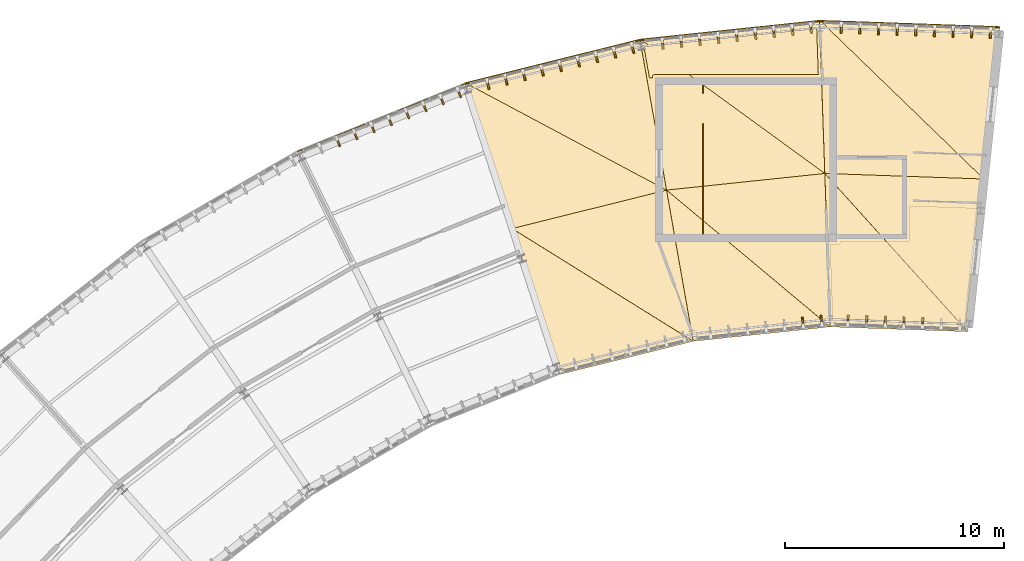
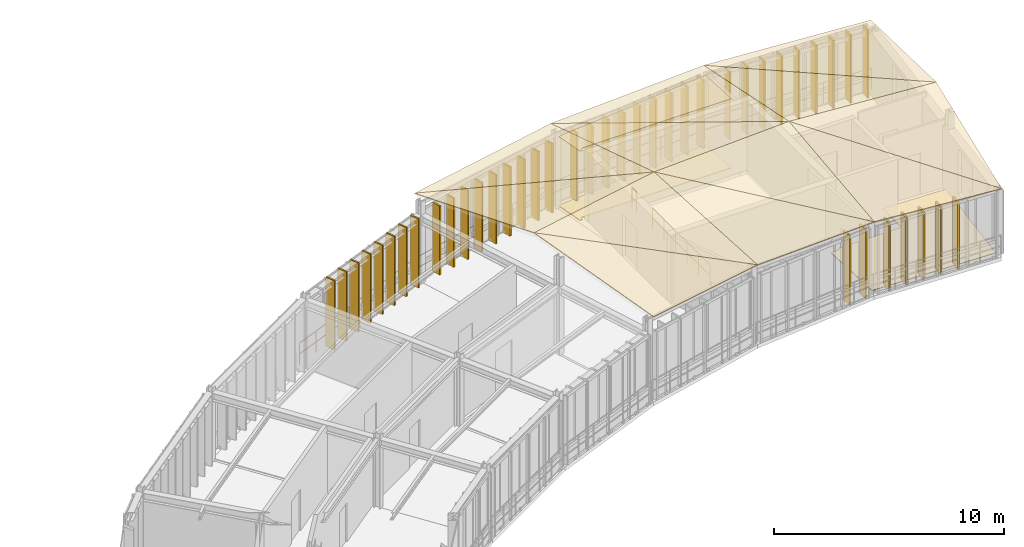
# One storey, part 42 of 42: 57 coverings, 6 railings.
"""IFC4 building model written with IfcOpenShell, lengths in metres."""

from ifc_helpers import new_model, si_unit, direction, frame, origin, origin_2d, place, context, subcontext, project, spatial, polyline, rectangle, circle, outline, extrude, material, layer, layer_set, type_object, element, save


model = new_model("IFC4")

# Units and contexts
model_context = context("Model", 3, precision=1e-05, world=origin(), true_north=direction((0.0, 1.0)))
body_context = subcontext(model_context, "Body", "Model", "MODEL_VIEW")
ifc_project = project(units=[si_unit("LENGTHUNIT", "METRE"), si_unit("AREAUNIT", "SQUARE_METRE"), si_unit("VOLUMEUNIT", "CUBIC_METRE"), si_unit("PLANEANGLEUNIT", "RADIAN"), si_unit("MASSUNIT", "GRAM", prefix="KILO"), si_unit("THERMODYNAMICTEMPERATUREUNIT", "KELVIN"), si_unit("POWERUNIT", "WATT")], contexts=[model_context])

# Site, building, storey
site_placement = place(None, origin())
site = spatial("IfcSite", under=ifc_project, at=site_placement, CompositionType="ELEMENT")
building_placement = place(site_placement, origin())
building = spatial("IfcBuilding", under=site, at=building_placement, Name="Solvatero Civic Police Headquarters", CompositionType="ELEMENT")
storey_placement = place(building_placement, frame((0.0, 0.0, 21.60009765625)))
storey = spatial("IfcBuildingStorey", under=building, at=storey_placement, Name="L05", CompositionType="ELEMENT", Elevation=21.60009765625)

# Coverings
ifc_material_1 = material(Name="Mineral-Fibre Acoustic Tile", Category="gypsum")
ifc_layer_1 = layer(ifc_material_1, 0.02490234375)
ifc_layer_set_1 = layer_set([ifc_layer_1], Name="Mineral-Fibre Acoustic Tile")
covering_type_1 = type_object("IfcCoveringType", Name="COV-CEIL-AC", PredefinedType="CEILING", material=ifc_layer_set_1)
covering_1_placement = place(storey_placement, frame((0.0, 0.0, 3.6748046875)))
element("IfcCovering", 1, at=covering_1_placement, inside=storey, type_object=covering_type_1, Name="Acoustic Ceiling Personnel Vetting and Training Admin Bay 2", PredefinedType="CEILING", context=body_context, shape_type="SweptSolid", body=[
    extrude(outline(polyline([(83.938720703125, 83.751708984375), (91.814208984375, 84.579345703125), (91.887939453125, 82.469970703125), (84.409912109375, 82.469970703125), (84.402099609375, 82.469482421875), (84.394287109375, 82.468505859375), (84.38671875, 82.466552734375), (84.37939453125, 82.4638671875), (84.372314453125, 82.460693359375), (84.365478515625, 82.45654296875), (84.359130859375, 82.451904296875), (84.353515625, 82.446533203125), (84.34814453125, 82.44091796875), (84.343505859375, 82.434326171875), (84.33935546875, 82.427734375), (84.336181640625, 82.420654296875), (84.33349609375, 82.4130859375), (84.33154296875, 82.405517578125), (84.330322265625, 82.397705078125), (84.330078125, 82.389892578125), (84.330078125, 82.320068359375), (84.191162109375, 82.320068359375), (83.938720703125, 83.751708984375)])), origin(), (0.0, 0.0, 1.0), 0.025146484375),
])
ifc_material_2 = material(Name="Anodized Bronze Aluminium", Category="aluminium")
ifc_layer_2 = layer(ifc_material_2, 0.080078125)
ifc_layer_set_2 = layer_set([ifc_layer_2], Name="Anodized Bronze Aluminium")
covering_type_2 = type_object("IfcCoveringType", Name="COV-FIN-480", PredefinedType="CLADDING", material=ifc_layer_set_2)
for number, where, z_axis, x_axis, name in (
    (2, (99.7314453125, 84.362060546875, -0.02001953125), (0.0, 0.0, 1.0), (-0.999390217756, 0.034916939358, 0.0), "Vertical Brise-Soleil Fin 0998"),
    (3, (98.882080078125, 84.3916015625, -0.02001953125), (0.0, 0.0, 1.0), (-0.999390217756, 0.034916939358, 0.0), "Vertical Brise-Soleil Fin 0999"),
    (4, (98.032470703125, 84.42138671875, -0.02001953125), (0.0, 0.0, 1.0), (-0.999390217756, 0.034916939358, 0.0), "Vertical Brise-Soleil Fin 1000"),
    (5, (97.18310546875, 84.450927734375, -0.02001953125), (0.0, 0.0, 1.0), (-0.999390217756, 0.034916939358, 0.0), "Vertical Brise-Soleil Fin 1001"),
    (6, (96.33349609375, 84.480712890625, -0.02001953125), (0.0, 0.0, 1.0), (-0.999390217756, 0.034916939358, 0.0), "Vertical Brise-Soleil Fin 1002"),
    (7, (95.484130859375, 84.51025390625, -0.02001953125), (0.0, 0.0, 1.0), (-0.999390217756, 0.034916939358, 0.0), "Vertical Brise-Soleil Fin 1003"),
    (8, (94.634521484375, 84.5400390625, -0.02001953125), (0.0, 0.0, 1.0), (-0.999390217756, 0.034916939358, 0.0), "Vertical Brise-Soleil Fin 1004"),
    (9, (93.78515625, 84.569580078125, -0.02001953125), (0.0, 0.0, 1.0), (-0.999390217756, 0.034916939358, 0.0), "Vertical Brise-Soleil Fin 1005"),
    (10, (92.935546875, 84.599365234375, -0.02001953125), (0.0, 0.0, 1.0), (-0.999390217756, 0.034916939358, 0.0), "Vertical Brise-Soleil Fin 1006"),
):
    element("IfcCovering", number, at=place(storey_placement, frame(where, z_axis=z_axis, x_axis=x_axis)), inside=storey, type_object=covering_type_2, Name=name, PredefinedType="CLADDING", context=body_context, shape_type="SweptSolid", body=[
        extrude(rectangle(XDim=0.080078125, YDim=0.47998046875, at=origin_2d()), origin(), (0.0, 0.0, 1.0), 3.630615234375),
    ])
for number, where, z_axis, x_axis, name in (
    (11, (96.64111328125, 71.155517578125, -0.02001953125), (0.0, 0.0, 1.0), (-0.999390827019, 0.034899496703, 0.0), "Vertical Brise-Soleil Fin 1009"),
    (12, (95.79150390625, 71.18505859375, -0.02001953125), (0.0, 0.0, 1.0), (-0.999390827019, 0.034899496703, 0.0), "Vertical Brise-Soleil Fin 1010"),
    (13, (94.94189453125, 71.214599609375, -0.02001953125), (0.0, 0.0, 1.0), (-0.999390827019, 0.034899496703, 0.0), "Vertical Brise-Soleil Fin 1011"),
    (14, (94.092529296875, 71.244384765625, -0.02001953125), (0.0, 0.0, 1.0), (-0.999390827019, 0.034899496703, 0.0), "Vertical Brise-Soleil Fin 1012"),
    (15, (93.2431640625, 71.274169921875, -0.02001953125), (0.0, 0.0, 1.0), (-0.999390827019, 0.034899496703, 0.0), "Vertical Brise-Soleil Fin 1013"),
):
    element("IfcCovering", number, at=place(storey_placement, frame(where, z_axis=z_axis, x_axis=x_axis)), inside=storey, type_object=covering_type_2, Name=name, PredefinedType="CLADDING", context=body_context, shape_type="SweptSolid", body=[
        extrude(rectangle(XDim=0.080078125, YDim=0.47998046875, at=origin_2d()), origin(), (0.0, 0.0, 1.0), 3.591552734375),
    ])
for number, where, z_axis, x_axis, name in (
    (16, (91.55322265625, 84.591796875, -0.02001953125), (0.0, 0.0, 1.0), (-0.994523719583, -0.10451110557, 0.0), "Vertical Brise-Soleil Fin 1014"),
    (17, (90.7080078125, 84.5029296875, -0.02001953125), (0.0, 0.0, 1.0), (-0.994523719583, -0.10451110557, 0.0), "Vertical Brise-Soleil Fin 1015"),
    (18, (89.862548828125, 84.4140625, -0.02001953125), (0.0, 0.0, 1.0), (-0.994523719583, -0.10451110557, 0.0), "Vertical Brise-Soleil Fin 1016"),
    (19, (89.01708984375, 84.3251953125, -0.02001953125), (0.0, 0.0, 1.0), (-0.994523719583, -0.10451110557, 0.0), "Vertical Brise-Soleil Fin 1017"),
    (20, (88.171875, 84.236328125, -0.02001953125), (0.0, 0.0, 1.0), (-0.994523719583, -0.10451110557, 0.0), "Vertical Brise-Soleil Fin 1018"),
    (21, (87.326416015625, 84.1474609375, -0.02001953125), (0.0, 0.0, 1.0), (-0.994523719583, -0.10451110557, 0.0), "Vertical Brise-Soleil Fin 1019"),
    (22, (86.481201171875, 84.05859375, -0.02001953125), (0.0, 0.0, 1.0), (-0.994523719583, -0.10451110557, 0.0), "Vertical Brise-Soleil Fin 1020"),
    (23, (85.6357421875, 83.9697265625, -0.02001953125), (0.0, 0.0, 1.0), (-0.994523719583, -0.10451110557, 0.0), "Vertical Brise-Soleil Fin 1021"),
    (24, (84.79052734375, 83.881103515625, -0.02001953125), (0.0, 0.0, 1.0), (-0.994523719583, -0.10451110557, 0.0), "Vertical Brise-Soleil Fin 1022"),
    (25, (92.031494140625, 71.26220703125, -0.02001953125), (0.0, 0.0, 1.0), (-0.994521895368, -0.104528463268, 0.0), "Vertical Brise-Soleil Fin 1023"),
    (26, (91.186279296875, 71.17333984375, -0.02001953125), (0.0, 0.0, 1.0), (-0.994521895368, -0.104528463268, 0.0), "Vertical Brise-Soleil Fin 1024"),
    (27, (83.422607421875, 83.68115234375, -0.02001953125), (0.0, 0.0, 1.0), (-0.970295726276, -0.2419218956, 0.0), "Vertical Brise-Soleil Fin 1030"),
    (28, (82.597900390625, 83.475341796875, -0.02001953125), (0.0, 0.0, 1.0), (-0.970295726276, -0.2419218956, 0.0), "Vertical Brise-Soleil Fin 1031"),
    (29, (81.773193359375, 83.269775390625, -0.02001953125), (0.0, 0.0, 1.0), (-0.970295726276, -0.2419218956, 0.0), "Vertical Brise-Soleil Fin 1032"),
    (30, (80.948486328125, 83.064208984375, -0.02001953125), (0.0, 0.0, 1.0), (-0.970295726276, -0.2419218956, 0.0), "Vertical Brise-Soleil Fin 1033"),
    (31, (80.12353515625, 82.8583984375, -0.02001953125), (0.0, 0.0, 1.0), (-0.970295726276, -0.2419218956, 0.0), "Vertical Brise-Soleil Fin 1034"),
    (32, (79.298828125, 82.65283203125, -0.02001953125), (0.0, 0.0, 1.0), (-0.970295726276, -0.2419218956, 0.0), "Vertical Brise-Soleil Fin 1035"),
    (33, (78.47412109375, 82.447265625, -0.02001953125), (0.0, 0.0, 1.0), (-0.970295726276, -0.2419218956, 0.0), "Vertical Brise-Soleil Fin 1036"),
    (34, (77.6494140625, 82.24169921875, -0.02001953125), (0.0, 0.0, 1.0), (-0.970295726276, -0.2419218956, 0.0), "Vertical Brise-Soleil Fin 1037"),
    (35, (76.82470703125, 82.035888671875, -0.02001953125), (0.0, 0.0, 1.0), (-0.970295726276, -0.2419218956, 0.0), "Vertical Brise-Soleil Fin 1038"),
    (36, (75.50732421875, 81.6513671875, -0.02001953125), (0.0, 0.0, 1.0), (-0.927183854567, -0.374606593416, 0.0), "Vertical Brise-Soleil Fin 1046"),
    (37, (74.71923828125, 81.3330078125, -0.02001953125), (0.0, 0.0, 1.0), (-0.927183854567, -0.374606593416, 0.0), "Vertical Brise-Soleil Fin 1047"),
    (38, (73.93115234375, 81.014404296875, -0.02001953125), (0.0, 0.0, 1.0), (-0.927183854567, -0.374606593416, 0.0), "Vertical Brise-Soleil Fin 1048"),
    (39, (73.14306640625, 80.696044921875, -0.02001953125), (0.0, 0.0, 1.0), (-0.927183854567, -0.374606593416, 0.0), "Vertical Brise-Soleil Fin 1049"),
    (40, (72.35498046875, 80.377685546875, -0.02001953125), (0.0, 0.0, 1.0), (-0.927183854567, -0.374606593416, 0.0), "Vertical Brise-Soleil Fin 1050"),
    (41, (71.56689453125, 80.059326171875, -0.02001953125), (0.0, 0.0, 1.0), (-0.927183854567, -0.374606593416, 0.0), "Vertical Brise-Soleil Fin 1051"),
    (42, (70.77880859375, 79.740966796875, -0.02001953125), (0.0, 0.0, 1.0), (-0.927183854567, -0.374606593416, 0.0), "Vertical Brise-Soleil Fin 1052"),
    (43, (69.990478515625, 79.422607421875, -0.02001953125), (0.0, 0.0, 1.0), (-0.927183854567, -0.374606593416, 0.0), "Vertical Brise-Soleil Fin 1053"),
):
    element("IfcCovering", number, at=place(storey_placement, frame(where, z_axis=z_axis, x_axis=x_axis)), inside=storey, type_object=covering_type_2, Name=name, PredefinedType="CLADDING", context=body_context, shape_type="SweptSolid", body=[
        extrude(rectangle(XDim=0.080078125, YDim=0.47998046875, at=origin_2d()), origin(), (0.0, 0.0, 1.0), 3.679931640625),
    ])
ifc_material_3 = material(Name="Venetian Terrazzo Stone", Category="masonry")
ifc_layer_3 = layer(ifc_material_3, 0.034912109375)
ifc_layer_set_3 = layer_set([ifc_layer_3], Name="Venetian Terrazzo Stone")
covering_type_3 = type_object("IfcCoveringType", Name="COV-FLR-TER", PredefinedType="FLOORING", material=ifc_layer_set_3)
covering_2_placement = place(storey_placement, origin())
element("IfcCovering", 44, at=covering_2_placement, inside=storey, type_object=covering_type_3, Name="Flooring Internal Affairs Inspectorate Suite Bay 1", PredefinedType="FLOORING", context=body_context, shape_type="SweptSolid", body=[
    extrude(outline(polyline([(99.17529296875, 76.38623046875), (98.622314453125, 71.1259765625), (92.536865234375, 71.33837890625), (92.418212890625, 74.72998046875), (92.7900390625, 74.72998046875), (92.7978515625, 74.73046875), (92.8056640625, 74.7314453125), (92.813232421875, 74.7333984375), (92.820556640625, 74.736083984375), (92.82763671875, 74.739501953125), (92.83447265625, 74.743408203125), (92.8408203125, 74.748291015625), (92.8466796875, 74.75341796875), (92.851806640625, 74.75927734375), (92.8564453125, 74.765625), (92.860595703125, 74.772216796875), (92.864013671875, 74.779296875), (92.86669921875, 74.786865234375), (92.868408203125, 74.79443359375), (92.86962890625, 74.80224609375), (92.8701171875, 74.81005859375), (92.8701171875, 74.860107421875), (95.9599609375, 74.860107421875), (95.9677734375, 74.8603515625), (95.9755859375, 74.861572265625), (95.983154296875, 74.86328125), (95.990478515625, 74.8662109375), (95.997802734375, 74.869384765625), (96.00439453125, 74.87353515625), (96.0107421875, 74.878173828125), (96.0166015625, 74.88330078125), (96.021728515625, 74.88916015625), (96.026611328125, 74.8955078125), (96.030517578125, 74.90234375), (96.033935546875, 74.909423828125), (96.03662109375, 74.916748046875), (96.03857421875, 74.92431640625), (96.03955078125, 74.93212890625), (96.0400390625, 74.93994140625), (96.0400390625, 76.495849609375), (99.17529296875, 76.38623046875)])), origin(), (0.0, 0.0, 1.0), 0.034912109375),
])
covering_3_placement = place(storey_placement, origin())
element("IfcCovering", 45, at=covering_3_placement, inside=storey, type_object=covering_type_3, Name="Flooring Personnel Vetting and Training Admin Bay 2", PredefinedType="FLOORING", context=body_context, shape_type="SweptSolid", body=[
    extrude(outline(polyline([(83.938720703125, 83.751708984375), (91.814208984375, 84.579345703125), (91.887939453125, 82.469970703125), (84.409912109375, 82.469970703125), (84.402099609375, 82.469482421875), (84.394287109375, 82.468505859375), (84.38671875, 82.466552734375), (84.37939453125, 82.4638671875), (84.372314453125, 82.460693359375), (84.365478515625, 82.45654296875), (84.359130859375, 82.451904296875), (84.353515625, 82.446533203125), (84.34814453125, 82.44091796875), (84.343505859375, 82.434326171875), (84.33935546875, 82.427734375), (84.336181640625, 82.420654296875), (84.33349609375, 82.4130859375), (84.33154296875, 82.405517578125), (84.330322265625, 82.397705078125), (84.330078125, 82.389892578125), (84.330078125, 82.320068359375), (84.191162109375, 82.320068359375), (83.938720703125, 83.751708984375)])), origin(), (0.0, 0.0, 1.0), 0.034912109375),
])
ifc_layer_4 = layer(ifc_material_2, 0.0400390625)
ifc_layer_set_4 = layer_set([ifc_layer_4], Name="Anodized Bronze Aluminium")
covering_type_4 = type_object("IfcCoveringType", Name="COV-RF-ZINC", PredefinedType="ROOFING", material=ifc_layer_set_4)
covering_4_placement = place(storey_placement, frame((98.703857421875, 70.75341796875, 3.639892578125), z_axis=(0.034797001179, -0.170559361712, 0.98473279261), x_axis=(0.10307278989, 0.980687555458, 0.166216480993)))
element("IfcCovering", 46, at=covering_4_placement, inside=storey, type_object=covering_type_4, Name="Operations Arc Standing-Seam Roof Covering B1 IN1", PredefinedType="ROOFING", context=body_context, shape_type="SweptSolid", body=[
    extrude(outline(polyline([(0.0, 0.0), (7.098764415974194, -7.632783294297951e-17), (6.649619007964738, 7.2469603826458036), (0.0, 0.0)])), origin(), (0.0, 0.0, -1.0), 0.0400390625),
])
covering_5_placement = place(storey_placement, frame((98.703857421875, 70.75341796875, 3.639892578125), z_axis=(0.041368469884, -0.16477203503, 0.985463761978), x_axis=(-0.662761920199, 0.733555815195, 0.150474260683)))
element("IfcCovering", 47, at=covering_5_placement, inside=storey, type_object=covering_type_4, Name="Operations Arc Standing-Seam Roof Covering B1 IN2", PredefinedType="ROOFING", context=body_context, shape_type="SweptSolid", body=[
    extrude(outline(polyline([(0.0, 0.0), (9.835439377004151, 9.020562075079397e-16), (4.364415853888783, 4.523078686607899), (0.0, 0.0)])), origin(), (0.0, 0.0, -1.0), 0.0400390625),
])
covering_6_placement = place(storey_placement, frame((99.435546875, 77.715087890625, 4.81982421875), z_axis=(0.041639635747, 0.162705808718, 0.985795597751), x_axis=(0.10307278989, 0.980687555458, -0.166216480993)))
element("IfcCovering", 48, at=covering_6_placement, inside=storey, type_object=covering_type_4, Name="Operations Arc Standing-Seam Roof Covering B1 OUT1", PredefinedType="ROOFING", context=body_context, shape_type="SweptSolid", body=[
    extrude(outline(polyline([(0.0, 0.0), (7.098764415974194, -1.734723475976807e-17), (6.48278578860504, 8.213737603710983), (0.0, 0.0)])), origin(), (0.0, 0.0, -1.0), 0.0400390625),
])
covering_7_placement = place(storey_placement, frame((99.435546875, 77.715087890625, 4.81982421875), z_axis=(0.046609332582, 0.167714919167, 0.984733098867), x_axis=(-0.716240616597, 0.692768792364, -0.084087926973)))
element("IfcCovering", 49, at=covering_7_placement, inside=storey, type_object=covering_type_4, Name="Operations Arc Standing-Seam Roof Covering B1 OUT2", PredefinedType="ROOFING", context=body_context, shape_type="SweptSolid", body=[
    extrude(outline(polyline([(0.0, 0.0), (10.463842363279147, 4.163336342344337e-16), (5.343079776981545, 4.916468741076734), (0.0, 0.0)])), origin(), (0.0, 0.0, -1.0), 0.0400390625),
])
covering_8_placement = place(storey_placement, frame((92.429443359375, 70.97265625, 3.93994140625), z_axis=(0.05819410991, -0.164061425753, 0.984732092577), x_axis=(-0.034392711062, 0.98548874278, 0.166219972564)))
element("IfcCovering", 50, at=covering_8_placement, inside=storey, type_object=covering_type_4, Name="Operations Arc Standing-Seam Roof Covering B2 IN1", PredefinedType="ROOFING", context=body_context, shape_type="SweptSolid", body=[
    extrude(outline(polyline([(0.0, 0.0), (7.098615301291393, 6.938893903907228e-17), (6.6493389588185945, 7.2471162134770095), (0.0, 0.0)])), origin(), (0.0, 0.0, -1.0), 0.0400390625),
])
covering_9_placement = place(storey_placement, frame((92.429443359375, 70.97265625, 3.93994140625), z_axis=(0.063902719875, -0.15740811237, 0.985463915399), x_axis=(-0.758408927278, 0.634171154195, 0.150475400686)))
element("IfcCovering", 51, at=covering_9_placement, inside=storey, type_object=covering_type_4, Name="Operations Arc Standing-Seam Roof Covering B2 IN2", PredefinedType="ROOFING", context=body_context, shape_type="SweptSolid", body=[
    extrude(outline(polyline([(0.0, 0.0), (9.835364863638974, -6.938893903907228e-17), (4.3642168240205015, 4.5229967349436), (0.0, 0.0)])), origin(), (0.0, 0.0, -1.0), 0.0400390625),
])
covering_10_placement = place(storey_placement, frame((92.185302734375, 77.96826171875, 5.119873046875), z_axis=(0.018590317859, 0.166915397745, 0.985795947485), x_axis=(-0.034425896214, 0.985488567454, -0.166214142262)))
element("IfcCovering", 52, at=covering_10_placement, inside=storey, type_object=covering_type_4, Name="Operations Arc Standing-Seam Roof Covering B2 OUT1", PredefinedType="ROOFING", context=body_context, shape_type="SweptSolid", body=[
    extrude(outline(polyline([(0.0, 0.0), (7.098864299816551, -4.5102810375396984e-17), (6.482936909074238, 8.213527813251117), (0.0, 0.0)])), origin(), (0.0, 0.0, -1.0), 0.0400390625),
])
covering_11_placement = place(storey_placement, frame((92.185302734375, 77.96826171875, 5.119873046875), z_axis=(0.022814697908, 0.172567492551, 0.984733441127), x_axis=(-0.805677003932, 0.586356282349, -0.084088497934)))
element("IfcCovering", 53, at=covering_11_placement, inside=storey, type_object=covering_type_4, Name="Operations Arc Standing-Seam Roof Covering B2 OUT2", PredefinedType="ROOFING", context=body_context, shape_type="SweptSolid", body=[
    extrude(outline(polyline([(0.0, 0.0), (10.46377131373229, 2.7755575615628914e-17), (5.343165312562697, 4.9166174435452925), (0.0, 0.0)])), origin(), (0.0, 0.0, -1.0), 0.0400390625),
])
covering_12_placement = place(storey_placement, frame((86.185791015625, 70.31640625, 4.239990234375), z_axis=(0.080464343137, -0.154362489815, 0.984732304345), x_axis=(-0.17124025298, 0.971106604368, 0.166218948113)))
element("IfcCovering", 54, at=covering_12_placement, inside=storey, type_object=covering_type_4, Name="Operations Arc Standing-Seam Roof Covering B3 IN1", PredefinedType="ROOFING", context=body_context, shape_type="SweptSolid", body=[
    extrude(outline(polyline([(0.0, 0.0), (7.098659051942945, 7.632783294297951e-17), (6.649488320095538, 7.2468714941968555), (0.0, 0.0)])), origin(), (0.0, 0.0, -1.0), 0.0400390625),
])
covering_13_placement = place(storey_placement, frame((86.185791015625, 70.31640625, 4.239990234375), z_axis=(0.085159474736, -0.147029403236, 0.985459394621), x_axis=(-0.839288157958, 0.52244825236, 0.15047661452)))
element("IfcCovering", 55, at=covering_13_placement, inside=storey, type_object=covering_type_4, Name="Operations Arc Standing-Seam Roof Covering B3 IN2", PredefinedType="ROOFING", context=body_context, shape_type="SweptSolid", body=[
    extrude(outline(polyline([(0.0, 0.0), (9.835285525722673, 6.800116025829084e-16), (4.364187874489779, 4.522998081227624), (0.0, 0.0)])), origin(), (0.0, 0.0, -1.0), 0.0400390625),
])
covering_14_placement = place(storey_placement, frame((84.97021484375, 77.2099609375, 5.419921875), z_axis=(-0.004853329729, 0.167871816058, 0.985796885045), x_axis=(-0.171201150702, 0.971114281312, -0.166214375521)))
element("IfcCovering", 56, at=covering_14_placement, inside=storey, type_object=covering_type_4, Name="Operations Arc Standing-Seam Roof Covering B3 OUT1", PredefinedType="ROOFING", context=body_context, shape_type="SweptSolid", body=[
    extrude(outline(polyline([(0.0, 0.0), (7.0988543375243225, 3.122502256758253e-17), (6.482444180849936, 8.213711159076004), (0.0, 0.0)])), origin(), (0.0, 0.0, -1.0), 0.0400390625),
])
covering_15_placement = place(storey_placement, frame((84.97021484375, 77.2099609375, 5.419921875), z_axis=(-0.001434399975, 0.174097450905, 0.984727383637), x_axis=(-0.8794429901, 0.468513616714, -0.084113126905)))
element("IfcCovering", 57, at=covering_15_placement, inside=storey, type_object=covering_type_4, Name="Operations Arc Standing-Seam Roof Covering B3 OUT2", PredefinedType="ROOFING", context=body_context, shape_type="SweptSolid", body=[
    extrude(outline(polyline([(0.0, 0.0), (10.463609968006494, 2.7755575615628914e-17), (5.342915250738814, 4.9165188317725255), (0.0, 0.0)])), origin(), (0.0, 0.0, -1.0), 0.0400390625),
])

# Railings
ifc_material_4 = material(Name="Anodized Bronze and Laminated Glass", Category="glass")
railing_type_1 = type_object("IfcRailingType", Name="RL-BAL-115", PredefinedType="BALUSTRADE", material=ifc_material_4)
railing_1_placement = place(storey_placement, frame((100.160888671875, 84.6171875, 0.0)))
element("IfcRailing", 58, at=railing_1_placement, inside=storey, type_object=railing_type_1, Name="Glazed Facade Sill Balustrade RL-L05-ARCOUT-B01", PredefinedType="BALUSTRADE", context=body_context, shape_type="SweptSolid", body=[
    extrude(circle(Radius=0.02392578125, at=origin_2d()), frame((0.0, 0.0, 1.1259765625), z_axis=(-0.999391275439, 0.034886653257, 0.0), x_axis=(-0.034886653257, -0.999391275439, 0.0)), (0.0, 0.0, 1.0), 8.222900390625),
    extrude(circle(Radius=0.02392578125, at=origin_2d()), frame((0.0, 0.0, 0.55078125), z_axis=(-0.999391275439, 0.034886653257, 0.0), x_axis=(-0.034886653257, -0.999391275439, 0.0)), (0.0, 0.0, 1.0), 8.222900390625),
    extrude(circle(Radius=0.02099609375, at=origin_2d()), origin(), (0.0, 0.0, 1.0), 1.101806640625),
    extrude(circle(Radius=0.02099609375, at=origin_2d()), frame((-1.174072265625, 0.041015625, 0.0)), (0.0, 0.0, 1.0), 1.101806640625),
    extrude(circle(Radius=0.02099609375, at=origin_2d()), frame((-2.347900390625, 0.08203125, 0.0)), (0.0, 0.0, 1.0), 1.101806640625),
    extrude(circle(Radius=0.02099609375, at=origin_2d()), frame((-3.52197265625, 0.123046875, 0.0)), (0.0, 0.0, 1.0), 1.101806640625),
    extrude(circle(Radius=0.02099609375, at=origin_2d()), frame((-4.69580078125, 0.163818359375, 0.0)), (0.0, 0.0, 1.0), 1.101806640625),
    extrude(circle(Radius=0.02099609375, at=origin_2d()), frame((-5.869873046875, 0.204833984375, 0.0)), (0.0, 0.0, 1.0), 1.101806640625),
    extrude(circle(Radius=0.02099609375, at=origin_2d()), frame((-7.043701171875, 0.245849609375, 0.0)), (0.0, 0.0, 1.0), 1.101806640625),
    extrude(circle(Radius=0.02099609375, at=origin_2d()), frame((-8.2177734375, 0.286865234375, 0.0)), (0.0, 0.0, 1.0), 1.101806640625),
])
railing_2_placement = place(storey_placement, frame((91.943115234375, 84.904052734375, 0.0)))
element("IfcRailing", 59, at=railing_2_placement, inside=storey, type_object=railing_type_1, Name="Glazed Facade Sill Balustrade RL-L05-ARCOUT-B02", PredefinedType="BALUSTRADE", context=body_context, shape_type="SweptSolid", body=[
    extrude(circle(Radius=0.02392578125, at=origin_2d()), frame((0.0, 0.0, 1.1259765625), z_axis=(-0.994523983361, -0.104508595439, 0.0), x_axis=(0.104508595439, -0.994523983361, 0.0)), (0.0, 0.0, 1.0), 8.222900390625),
    extrude(circle(Radius=0.02392578125, at=origin_2d()), frame((0.0, 0.0, 0.55078125), z_axis=(-0.994523983361, -0.104508595439, 0.0), x_axis=(0.104508595439, -0.994523983361, 0.0)), (0.0, 0.0, 1.0), 8.222900390625),
    extrude(circle(Radius=0.02099609375, at=origin_2d()), origin(), (0.0, 0.0, 1.0), 1.101806640625),
    extrude(circle(Radius=0.02099609375, at=origin_2d()), frame((-1.168212890625, -0.122802734375, 0.0)), (0.0, 0.0, 1.0), 1.101806640625),
    extrude(circle(Radius=0.02099609375, at=origin_2d()), frame((-2.336669921875, -0.24560546875, 0.0)), (0.0, 0.0, 1.0), 1.101806640625),
    extrude(circle(Radius=0.02099609375, at=origin_2d()), frame((-3.5048828125, -0.368408203125, 0.0)), (0.0, 0.0, 1.0), 1.101806640625),
    extrude(circle(Radius=0.02099609375, at=origin_2d()), frame((-4.673095703125, -0.490966796875, 0.0)), (0.0, 0.0, 1.0), 1.101806640625),
    extrude(circle(Radius=0.02099609375, at=origin_2d()), frame((-5.84130859375, -0.61376953125, 0.0)), (0.0, 0.0, 1.0), 1.101806640625),
    extrude(circle(Radius=0.02099609375, at=origin_2d()), frame((-7.009765625, -0.736572265625, 0.0)), (0.0, 0.0, 1.0), 1.101806640625),
    extrude(circle(Radius=0.02099609375, at=origin_2d()), frame((-8.177978515625, -0.859375, 0.0)), (0.0, 0.0, 1.0), 1.101806640625),
])
railing_3_placement = place(storey_placement, frame((83.76513671875, 84.044677734375, 0.0)))
element("IfcRailing", 60, at=railing_3_placement, inside=storey, type_object=railing_type_1, Name="Glazed Facade Sill Balustrade RL-L05-ARCOUT-B03", PredefinedType="BALUSTRADE", context=body_context, shape_type="SweptSolid", body=[
    extrude(circle(Radius=0.02392578125, at=origin_2d()), frame((0.0, 0.0, 1.1259765625), z_axis=(-0.970295999012, -0.241920801712, 0.0), x_axis=(0.241920801712, -0.970295999012, 0.0)), (0.0, 0.0, 1.0), 8.22265625),
    extrude(circle(Radius=0.02392578125, at=origin_2d()), frame((0.0, 0.0, 0.55078125), z_axis=(-0.970295999012, -0.241920801712, 0.0), x_axis=(0.241920801712, -0.970295999012, 0.0)), (0.0, 0.0, 1.0), 8.22265625),
    extrude(circle(Radius=0.02099609375, at=origin_2d()), origin(), (0.0, 0.0, 1.0), 1.101806640625),
    extrude(circle(Radius=0.02099609375, at=origin_2d()), frame((-1.139892578125, -0.2841796875, 0.0)), (0.0, 0.0, 1.0), 1.101806640625),
    extrude(circle(Radius=0.02099609375, at=origin_2d()), frame((-2.279541015625, -0.568359375, 0.0)), (0.0, 0.0, 1.0), 1.101806640625),
    extrude(circle(Radius=0.02099609375, at=origin_2d()), frame((-3.41943359375, -0.8525390625, 0.0)), (0.0, 0.0, 1.0), 1.101806640625),
    extrude(circle(Radius=0.02099609375, at=origin_2d()), frame((-4.55908203125, -1.13671875, 0.0)), (0.0, 0.0, 1.0), 1.101806640625),
    extrude(circle(Radius=0.02099609375, at=origin_2d()), frame((-5.698974609375, -1.4208984375, 0.0)), (0.0, 0.0, 1.0), 1.101806640625),
    extrude(circle(Radius=0.02099609375, at=origin_2d()), frame((-6.838623046875, -1.705078125, 0.0)), (0.0, 0.0, 1.0), 1.101806640625),
    extrude(circle(Radius=0.02099609375, at=origin_2d()), frame((-7.978515625, -1.9892578125, 0.0)), (0.0, 0.0, 1.0), 1.101806640625),
])
railing_4_placement = place(storey_placement, frame((75.78662109375, 82.055419921875, 0.0)))
element("IfcRailing", 61, at=railing_4_placement, inside=storey, type_object=railing_type_1, Name="Glazed Facade Sill Balustrade RL-L05-ARCOUT-B04", PredefinedType="BALUSTRADE", context=body_context, shape_type="SweptSolid", body=[
    extrude(circle(Radius=0.02392578125, at=origin_2d()), frame((0.0, 0.0, 1.1259765625), z_axis=(-0.927176996953, -0.374623566158, 0.0), x_axis=(0.374623566158, -0.927176996953, 0.0)), (0.0, 0.0, 1.0), 8.22314453125),
    extrude(circle(Radius=0.02392578125, at=origin_2d()), frame((0.0, 0.0, 0.55078125), z_axis=(-0.927176996953, -0.374623566158, 0.0), x_axis=(0.374623566158, -0.927176996953, 0.0)), (0.0, 0.0, 1.0), 8.22314453125),
    extrude(circle(Radius=0.02099609375, at=origin_2d()), origin(), (0.0, 0.0, 1.0), 1.101806640625),
    extrude(circle(Radius=0.02099609375, at=origin_2d()), frame((-1.089111328125, -0.440185546875, 0.0)), (0.0, 0.0, 1.0), 1.101806640625),
    extrude(circle(Radius=0.02099609375, at=origin_2d()), frame((-2.178466796875, -0.880126953125, 0.0)), (0.0, 0.0, 1.0), 1.101806640625),
    extrude(circle(Radius=0.02099609375, at=origin_2d()), frame((-3.267578125, -1.3203125, 0.0)), (0.0, 0.0, 1.0), 1.101806640625),
    extrude(circle(Radius=0.02099609375, at=origin_2d()), frame((-4.356689453125, -1.76025390625, 0.0)), (0.0, 0.0, 1.0), 1.101806640625),
    extrude(circle(Radius=0.02099609375, at=origin_2d()), frame((-5.44580078125, -2.200439453125, 0.0)), (0.0, 0.0, 1.0), 1.101806640625),
    extrude(circle(Radius=0.02099609375, at=origin_2d()), frame((-6.53515625, -2.640380859375, 0.0)), (0.0, 0.0, 1.0), 1.101806640625),
    extrude(circle(Radius=0.02099609375, at=origin_2d()), frame((-7.624267578125, -3.08056640625, 0.0)), (0.0, 0.0, 1.0), 1.101806640625),
])
ifc_material_5 = material(Name="Painted Galvanized Steel", Category="steel")
railing_type_2 = type_object("IfcRailingType", Name="RL-GRD-110", PredefinedType="GUARDRAIL", material=ifc_material_5)
railing_5_placement = place(storey_placement, frame((86.6298828125, 75.2099609375, 0.0)))
element("IfcRailing", 62, at=railing_5_placement, inside=storey, type_object=railing_type_2, Name="ST-C3 Top Landing Well Guardrail", PredefinedType="GUARDRAIL", context=body_context, shape_type="SweptSolid", body=[
    extrude(circle(Radius=0.02392578125, at=origin_2d()), frame((0.0, 0.0, 1.09619140625), z_axis=(0.0, 1.0, 0.0), x_axis=(-1.0, 0.0, 0.0)), (0.0, 0.0, 1.0), 5.010009765625),
    extrude(circle(Radius=0.02392578125, at=origin_2d()), frame((0.0, 0.0, 0.5361328125), z_axis=(0.0, 1.0, 0.0), x_axis=(-1.0, 0.0, 0.0)), (0.0, 0.0, 1.0), 5.010009765625),
    extrude(circle(Radius=0.02099609375, at=origin_2d()), origin(), (0.0, 0.0, 1.0), 1.072021484375),
    extrude(circle(Radius=0.02099609375, at=origin_2d()), frame((0.0, 1.001953125, 0.0)), (0.0, 0.0, 1.0), 1.072021484375),
    extrude(circle(Radius=0.02099609375, at=origin_2d()), frame((0.0, 2.00390625, 0.0)), (0.0, 0.0, 1.0), 1.072021484375),
    extrude(circle(Radius=0.02099609375, at=origin_2d()), frame((0.0, 3.006103515625, 0.0)), (0.0, 0.0, 1.0), 1.072021484375),
    extrude(circle(Radius=0.02099609375, at=origin_2d()), frame((0.0, 4.008056640625, 0.0)), (0.0, 0.0, 1.0), 1.072021484375),
    extrude(circle(Radius=0.02099609375, at=origin_2d()), frame((0.0, 5.010009765625, 0.0)), (0.0, 0.0, 1.0), 1.072021484375),
])
railing_6_placement = place(storey_placement, frame((86.6298828125, 81.6298828125, 0.0)))
element("IfcRailing", 63, at=railing_6_placement, inside=storey, type_object=railing_type_2, Name="ST-C3 Top Landing North Slot Guardrail", PredefinedType="GUARDRAIL", context=body_context, shape_type="SweptSolid", body=[
    extrude(circle(Radius=0.02392578125, at=origin_2d()), frame((0.0, 0.0, 1.09619140625), z_axis=(0.0, 1.0, 0.0), x_axis=(-1.0, 0.0, 0.0)), (0.0, 0.0, 1.0), 0.360107421875),
    extrude(circle(Radius=0.02392578125, at=origin_2d()), frame((0.0, 0.0, 0.5361328125), z_axis=(0.0, 1.0, 0.0), x_axis=(-1.0, 0.0, 0.0)), (0.0, 0.0, 1.0), 0.360107421875),
    extrude(circle(Radius=0.02099609375, at=origin_2d()), origin(), (0.0, 0.0, 1.0), 1.072021484375),
    extrude(circle(Radius=0.02099609375, at=origin_2d()), frame((0.0, 0.360107421875, 0.0)), (0.0, 0.0, 1.0), 1.072021484375),
])

save(model, "model.ifc")
